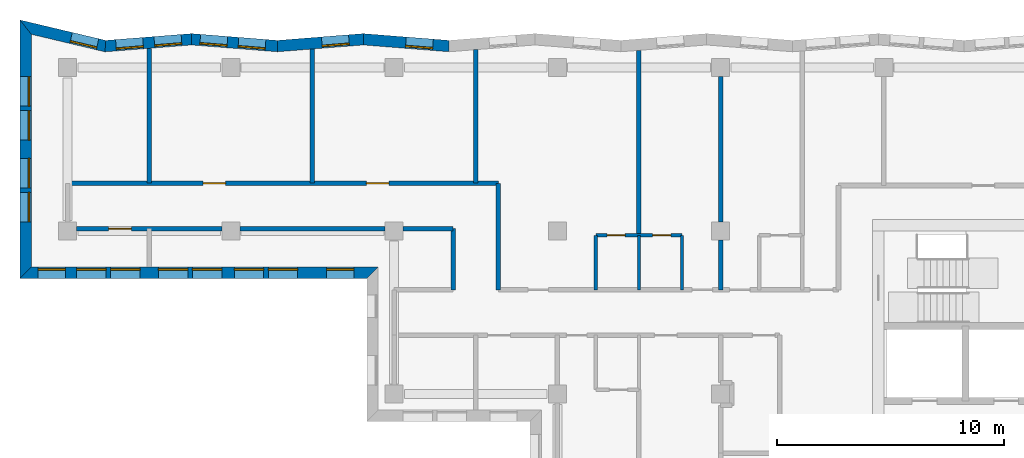
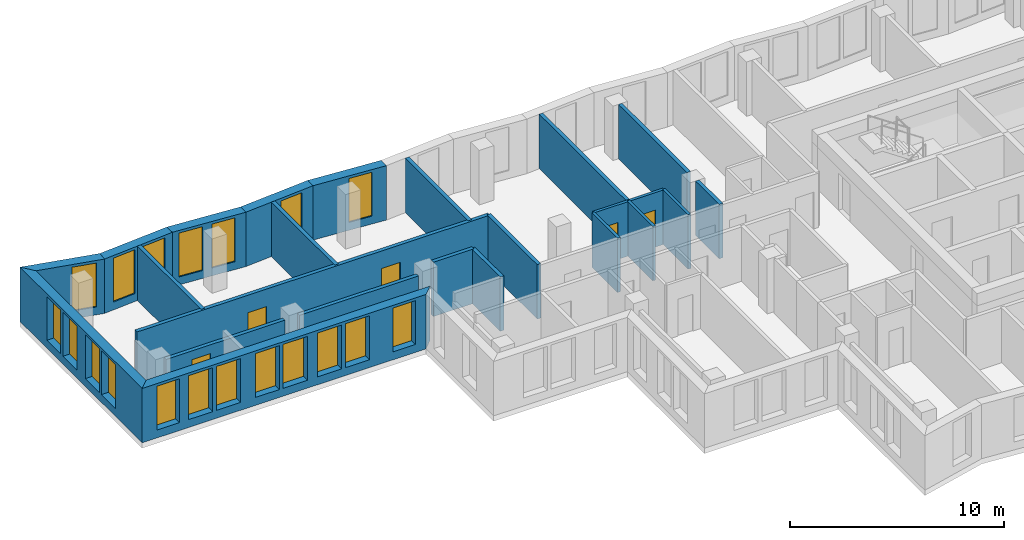
# One storey, part 5 of 11: 23 walls, 19 windows, 5 doors, 24 openings.
"""IFC4 building model written with IfcOpenShell, lengths in metres."""

from ifc_helpers import new_model, si_unit, direction, frame, frame_2d, origin, place, context, subcontext, project, spatial, polyline, rectangle, outline, extrude, material, layer, layer_set, type_object, element, fill, save


model = new_model("IFC4")

# Units and contexts
model_context = context("Model", 3, precision=1e-05, world=origin(), true_north=direction((0.0, 1.0)))
body_context = subcontext(model_context, "Body", "Model", "MODEL_VIEW")
ifc_project = project(units=[si_unit("LENGTHUNIT", "METRE"), si_unit("AREAUNIT", "SQUARE_METRE"), si_unit("VOLUMEUNIT", "CUBIC_METRE"), si_unit("PLANEANGLEUNIT", "RADIAN"), si_unit("MASSUNIT", "GRAM", prefix="KILO")], contexts=[model_context])

# Site, building, storey
site_placement = place(None, origin())
site = spatial("IfcSite", under=ifc_project, at=site_placement, CompositionType="ELEMENT")
building_placement = place(site_placement, origin())
building = spatial("IfcBuilding", under=site, at=building_placement, Name="Windrow Commons", CompositionType="ELEMENT")
storey_placement = place(building_placement, frame((0.0, 0.0, 189.6)))
storey = spatial("IfcBuildingStorey", under=building, at=storey_placement, Name="L51", CompositionType="ELEMENT", Elevation=189.6)

# Wall, opening, window
ifc_material_1 = material(Name="Brick masonry, red clay brick", Category="masonry")
ifc_layer_1 = layer(ifc_material_1, 0.5)
ifc_layer_set_1 = layer_set([ifc_layer_1], Name="Brick facade wall 500")
wall_type_1 = type_object("IfcWallType", Name="Brick facade wall 500", PredefinedType="SOLIDWALL", material=ifc_layer_set_1)
wall_1_placement = place(storey_placement, frame((38.4281, 72.9492, 0.0), z_axis=(0.0, 0.0, 1.0), x_axis=(-0.9968746163, 0.078999996, 0.0)))
wall_1 = element("IfcWall", 1, at=wall_1_placement, inside=storey, type_object=wall_type_1, Name="Brick facade wall L51 28", PredefinedType="SOLIDWALL", context=body_context, shape_type="SweptSolid", body=[
    extrude(outline(polyline([(0.0198, -0.25), (3.8173, -0.25), (3.7777, 0.25), (-0.0198, 0.25), (0.0198, -0.25)])), origin(), (0.0, 0.0, 1.0), 3.1),
])
opening_1_placement = place(wall_1_placement, frame((0.7179, 0.0, 0.45)))
opening_1 = element("IfcOpeningElement", 2, at=opening_1_placement, cuts=wall_1, Name="Opening W7E", PredefinedType="OPENING", context=body_context, shape_type="SweptSolid", body=[
    extrude(rectangle(XDim=1.2, YDim=2.5, at=frame_2d((0.6, 1.25))), frame((0.0, 0.26, 0.0), z_axis=(0.0, -1.0, 0.0), x_axis=(1.0, 0.0, 0.0)), (0.0, 0.0, 1.0), 0.52),
])
ifc_material_2 = material(Name="Clear float glass in anodised aluminium frame", Category="aluminium")
window_type_1 = type_object("IfcWindowType", Name="Window W7 notch 1200x2500", PartitioningType="SINGLE_PANEL", PredefinedType="WINDOW", material=ifc_material_2)
window_1_placement = place(opening_1_placement, origin())
window_1 = element("IfcWindow", 3, at=window_1_placement, inside=storey, type_object=window_type_1, Name="Window L51 28.1", OverallHeight=2.5, OverallWidth=1.2, PartitioningType="SINGLE_PANEL", PredefinedType="WINDOW", context=body_context, shape_type="SweptSolid", body=[
    extrude(rectangle(XDim=1.2, YDim=2.5, at=frame_2d((0.6, 1.25))), frame((0.0, 0.18, 0.0), z_axis=(0.0, -1.0, 0.0), x_axis=(1.0, 0.0, 0.0)), (0.0, 0.0, 1.0), 0.06),
])
fill(opening_1, window_1)

wall_2_placement = place(storey_placement, frame((34.6425, 73.2492, 0.0), z_axis=(0.0, 0.0, 1.0), x_axis=(-0.9968746163, -0.078999996, 0.0)))
wall_2 = element("IfcWall", 4, at=wall_2_placement, inside=storey, type_object=wall_type_1, Name="Brick facade wall L51 29", PredefinedType="SOLIDWALL", context=body_context, shape_type="SweptSolid", body=[
    extrude(outline(polyline([(-0.0198, -0.25), (3.7777, -0.25), (3.8173, 0.25), (0.0198, 0.25), (-0.0198, -0.25)])), origin(), (0.0, 0.0, 1.0), 3.1),
])
opening_2_placement = place(wall_2_placement, frame((0.6347, 0.0, 0.45)))
opening_2 = element("IfcOpeningElement", 5, at=opening_2_placement, cuts=wall_2, Name="Opening W7E", PredefinedType="OPENING", context=body_context, shape_type="SweptSolid", body=[
    extrude(rectangle(XDim=1.2, YDim=2.5, at=frame_2d((0.6, 1.25))), frame((0.0, 0.26, 0.0), z_axis=(0.0, -1.0, 0.0), x_axis=(1.0, 0.0, 0.0)), (0.0, 0.0, 1.0), 0.52),
])
window_2_placement = place(opening_2_placement, origin())
window_2 = element("IfcWindow", 6, at=window_2_placement, inside=storey, type_object=window_type_1, Name="Window L51 29.1", OverallHeight=2.5, OverallWidth=1.2, PartitioningType="SINGLE_PANEL", PredefinedType="WINDOW", context=body_context, shape_type="SweptSolid", body=[
    extrude(rectangle(XDim=1.2, YDim=2.5, at=frame_2d((0.6, 1.25))), frame((0.0, 0.18, 0.0), z_axis=(0.0, -1.0, 0.0), x_axis=(1.0, 0.0, 0.0)), (0.0, 0.0, 1.0), 0.06),
])
fill(opening_2, window_2)

# Wall, openings, windows
wall_3_placement = place(storey_placement, frame((30.8569, 72.9492, 0.0), z_axis=(0.0, 0.0, 1.0), x_axis=(-0.9968747806, 0.0789979222, 0.0)))
wall_3 = element("IfcWall", 7, at=wall_3_placement, inside=storey, type_object=wall_type_1, Name="Brick facade wall L51 30", PredefinedType="SOLIDWALL", context=body_context, shape_type="SweptSolid", body=[
    extrude(outline(polyline([(0.0198, -0.25), (3.8173, -0.25), (3.7777, 0.25), (-0.0198, 0.25), (0.0198, -0.25)])), origin(), (0.0, 0.0, 1.0), 3.1),
])
opening_3_placement = place(wall_3_placement, frame((0.5317, 0.0, 0.45)))
opening_3 = element("IfcOpeningElement", 8, at=opening_3_placement, cuts=wall_3, Name="Opening W7E", PredefinedType="OPENING", context=body_context, shape_type="SweptSolid", body=[
    extrude(rectangle(XDim=1.2, YDim=2.5, at=frame_2d((0.6, 1.25))), frame((0.0, 0.26, 0.0), z_axis=(0.0, -1.0, 0.0), x_axis=(1.0, 0.0, 0.0)), (0.0, 0.0, 1.0), 0.52),
])
opening_4_placement = place(wall_3_placement, frame((2.2205, 0.0, 0.45)))
opening_4 = element("IfcOpeningElement", 9, at=opening_4_placement, cuts=wall_3, Name="Opening W7E", PredefinedType="OPENING", context=body_context, shape_type="SweptSolid", body=[
    extrude(rectangle(XDim=1.2, YDim=2.5, at=frame_2d((0.6, 1.25))), frame((0.0, 0.26, 0.0), z_axis=(0.0, -1.0, 0.0), x_axis=(1.0, 0.0, 0.0)), (0.0, 0.0, 1.0), 0.52),
])
window_3_placement = place(opening_3_placement, origin())
window_3 = element("IfcWindow", 10, at=window_3_placement, inside=storey, type_object=window_type_1, Name="Window L51 30.1", OverallHeight=2.5, OverallWidth=1.2, PartitioningType="SINGLE_PANEL", PredefinedType="WINDOW", context=body_context, shape_type="SweptSolid", body=[
    extrude(rectangle(XDim=1.2, YDim=2.5, at=frame_2d((0.6, 1.25))), frame((0.0, 0.18, 0.0), z_axis=(0.0, -1.0, 0.0), x_axis=(1.0, 0.0, 0.0)), (0.0, 0.0, 1.0), 0.06),
])
fill(opening_3, window_3)
window_4_placement = place(opening_4_placement, origin())
window_4 = element("IfcWindow", 11, at=window_4_placement, inside=storey, type_object=window_type_1, Name="Window L51 30.2", OverallHeight=2.5, OverallWidth=1.2, PartitioningType="SINGLE_PANEL", PredefinedType="WINDOW", context=body_context, shape_type="SweptSolid", body=[
    extrude(rectangle(XDim=1.2, YDim=2.5, at=frame_2d((0.6, 1.25))), frame((0.0, 0.18, 0.0), z_axis=(0.0, -1.0, 0.0), x_axis=(1.0, 0.0, 0.0)), (0.0, 0.0, 1.0), 0.06),
])
fill(opening_4, window_4)

wall_4_placement = place(storey_placement, frame((27.0712, 73.2492, 0.0), z_axis=(0.0, 0.0, 1.0), x_axis=(-0.9968755515, -0.0789881945, 0.0)))
wall_4 = element("IfcWall", 12, at=wall_4_placement, inside=storey, type_object=wall_type_1, Name="Brick facade wall L51 31", PredefinedType="SOLIDWALL", context=body_context, shape_type="SweptSolid", body=[
    extrude(outline(polyline([(-0.0198, -0.25), (3.7777, -0.25), (3.8564, 0.25), (0.0198, 0.25), (-0.0198, -0.25)])), origin(), (0.0, 0.0, 1.0), 3.1),
])
opening_5_placement = place(wall_4_placement, frame((0.4485, 0.0, 0.45)))
opening_5 = element("IfcOpeningElement", 13, at=opening_5_placement, cuts=wall_4, Name="Opening W7E", PredefinedType="OPENING", context=body_context, shape_type="SweptSolid", body=[
    extrude(rectangle(XDim=1.2, YDim=2.5, at=frame_2d((0.6, 1.25))), frame((0.0, 0.26, 0.0), z_axis=(0.0, -1.0, 0.0), x_axis=(1.0, 0.0, 0.0)), (0.0, 0.0, 1.0), 0.52),
])
opening_6_placement = place(wall_4_placement, frame((2.1471, 0.0, 0.45)))
opening_6 = element("IfcOpeningElement", 14, at=opening_6_placement, cuts=wall_4, Name="Opening W7E", PredefinedType="OPENING", context=body_context, shape_type="SweptSolid", body=[
    extrude(rectangle(XDim=1.2, YDim=2.5, at=frame_2d((0.6, 1.25))), frame((0.0, 0.26, 0.0), z_axis=(0.0, -1.0, 0.0), x_axis=(1.0, 0.0, 0.0)), (0.0, 0.0, 1.0), 0.52),
])
window_5_placement = place(opening_5_placement, origin())
window_5 = element("IfcWindow", 15, at=window_5_placement, inside=storey, type_object=window_type_1, Name="Window L51 31.1", OverallHeight=2.5, OverallWidth=1.2, PartitioningType="SINGLE_PANEL", PredefinedType="WINDOW", context=body_context, shape_type="SweptSolid", body=[
    extrude(rectangle(XDim=1.2, YDim=2.5, at=frame_2d((0.6, 1.25))), frame((0.0, 0.18, 0.0), z_axis=(0.0, -1.0, 0.0), x_axis=(1.0, 0.0, 0.0)), (0.0, 0.0, 1.0), 0.06),
])
fill(opening_5, window_5)
window_6_placement = place(opening_6_placement, origin())
window_6 = element("IfcWindow", 16, at=window_6_placement, inside=storey, type_object=window_type_1, Name="Window L51 31.2", OverallHeight=2.5, OverallWidth=1.2, PartitioningType="SINGLE_PANEL", PredefinedType="WINDOW", context=body_context, shape_type="SweptSolid", body=[
    extrude(rectangle(XDim=1.2, YDim=2.5, at=frame_2d((0.6, 1.25))), frame((0.0, 0.18, 0.0), z_axis=(0.0, -1.0, 0.0), x_axis=(1.0, 0.0, 0.0)), (0.0, 0.0, 1.0), 0.06),
])
fill(opening_6, window_6)

# Wall, opening, window
wall_5_placement = place(storey_placement, frame((23.2661, 72.9477, 0.0), z_axis=(0.0, 0.0, 1.0), x_axis=(-0.9728851289, 0.2312888368, 0.0)))
wall_5 = element("IfcWall", 17, at=wall_5_placement, inside=storey, type_object=wall_type_1, Name="Brick facade wall L51 32", PredefinedType="SOLIDWALL", context=body_context, shape_type="SweptSolid", body=[
    extrude(outline(polyline([(0.0394, -0.25), (3.9305, -0.25), (3.2977, 0.25), (-0.0394, 0.25), (0.0394, -0.25)])), origin(), (0.0, 0.0, 1.0), 3.1),
])
opening_7_placement = place(wall_5_placement, frame((0.3563, 0.0, 0.45)))
opening_7 = element("IfcOpeningElement", 18, at=opening_7_placement, cuts=wall_5, Name="Opening W7E", PredefinedType="OPENING", context=body_context, shape_type="SweptSolid", body=[
    extrude(rectangle(XDim=1.2, YDim=2.5, at=frame_2d((0.6, 1.25))), frame((0.0, 0.26, 0.0), z_axis=(0.0, -1.0, 0.0), x_axis=(1.0, 0.0, 0.0)), (0.0, 0.0, 1.0), 0.52),
])
window_7_placement = place(opening_7_placement, origin())
window_7 = element("IfcWindow", 19, at=window_7_placement, inside=storey, type_object=window_type_1, Name="Window L51 32.1", OverallHeight=2.5, OverallWidth=1.2, PartitioningType="SINGLE_PANEL", PredefinedType="WINDOW", context=body_context, shape_type="SweptSolid", body=[
    extrude(rectangle(XDim=1.2, YDim=2.5, at=frame_2d((0.6, 1.25))), frame((0.0, 0.18, 0.0), z_axis=(0.0, -1.0, 0.0), x_axis=(1.0, 0.0, 0.0)), (0.0, 0.0, 1.0), 0.06),
])
fill(opening_7, window_7)

# Wall, openings, windows
wall_6_placement = place(storey_placement, frame((19.75, 73.7836, 0.0), z_axis=(0.0, 0.0, 1.0), x_axis=(0.0, -1.0, 0.0)))
wall_6 = element("IfcWall", 20, at=wall_6_placement, inside=storey, type_object=wall_type_1, Name="Brick facade wall L51 33", PredefinedType="SOLIDWALL", context=body_context, shape_type="SweptSolid", body=[
    extrude(outline(polyline([(-0.3164, -0.25), (11.0836, -0.25), (10.5836, 0.25), (0.3164, 0.25), (-0.3164, -0.25)])), origin(), (0.0, 0.0, 1.0), 3.1),
])
opening_8_placement = place(wall_6_placement, frame((2.1836, 0.0, 0.45)))
opening_8 = element("IfcOpeningElement", 21, at=opening_8_placement, cuts=wall_6, Name="Opening W1Q", PredefinedType="OPENING", context=body_context, shape_type="SweptSolid", body=[
    extrude(rectangle(XDim=1.3, YDim=2.5, at=frame_2d((0.65, 1.25))), frame((0.0, 0.26, 0.0), z_axis=(0.0, -1.0, 0.0), x_axis=(1.0, 0.0, 0.0)), (0.0, 0.0, 1.0), 0.52),
])
opening_9_placement = place(wall_6_placement, frame((3.6836, 0.0, 0.45)))
opening_9 = element("IfcOpeningElement", 22, at=opening_9_placement, cuts=wall_6, Name="Opening W1Q", PredefinedType="OPENING", context=body_context, shape_type="SweptSolid", body=[
    extrude(rectangle(XDim=1.3, YDim=2.5, at=frame_2d((0.65, 1.25))), frame((0.0, 0.26, 0.0), z_axis=(0.0, -1.0, 0.0), x_axis=(1.0, 0.0, 0.0)), (0.0, 0.0, 1.0), 0.52),
])
opening_10_placement = place(wall_6_placement, frame((5.7836, 0.0, 0.45)))
opening_10 = element("IfcOpeningElement", 23, at=opening_10_placement, cuts=wall_6, Name="Opening W1Q", PredefinedType="OPENING", context=body_context, shape_type="SweptSolid", body=[
    extrude(rectangle(XDim=1.3, YDim=2.5, at=frame_2d((0.65, 1.25))), frame((0.0, 0.26, 0.0), z_axis=(0.0, -1.0, 0.0), x_axis=(1.0, 0.0, 0.0)), (0.0, 0.0, 1.0), 0.52),
])
opening_11_placement = place(wall_6_placement, frame((7.2836, 0.0, 0.45)))
opening_11 = element("IfcOpeningElement", 24, at=opening_11_placement, cuts=wall_6, Name="Opening W1Q", PredefinedType="OPENING", context=body_context, shape_type="SweptSolid", body=[
    extrude(rectangle(XDim=1.3, YDim=2.5, at=frame_2d((0.65, 1.25))), frame((0.0, 0.26, 0.0), z_axis=(0.0, -1.0, 0.0), x_axis=(1.0, 0.0, 0.0)), (0.0, 0.0, 1.0), 0.52),
])
ifc_material_3 = material(Name="Clear float glass in anodised aluminium frame", Category="aluminium")
window_type_2 = type_object("IfcWindowType", Name="Window W1Q pair 1300x2500", PartitioningType="SINGLE_PANEL", PredefinedType="WINDOW", material=ifc_material_3)
window_8_placement = place(opening_8_placement, origin())
window_8 = element("IfcWindow", 25, at=window_8_placement, inside=storey, type_object=window_type_2, Name="Window L51 33.1A", OverallHeight=2.5, OverallWidth=1.3, PartitioningType="SINGLE_PANEL", PredefinedType="WINDOW", context=body_context, shape_type="SweptSolid", body=[
    extrude(rectangle(XDim=1.3, YDim=2.5, at=frame_2d((0.65, 1.25))), frame((0.0, 0.18, 0.0), z_axis=(0.0, -1.0, 0.0), x_axis=(1.0, 0.0, 0.0)), (0.0, 0.0, 1.0), 0.06),
])
fill(opening_8, window_8)
window_9_placement = place(opening_9_placement, origin())
window_9 = element("IfcWindow", 26, at=window_9_placement, inside=storey, type_object=window_type_2, Name="Window L51 33.1B", OverallHeight=2.5, OverallWidth=1.3, PartitioningType="SINGLE_PANEL", PredefinedType="WINDOW", context=body_context, shape_type="SweptSolid", body=[
    extrude(rectangle(XDim=1.3, YDim=2.5, at=frame_2d((0.65, 1.25))), frame((0.0, 0.18, 0.0), z_axis=(0.0, -1.0, 0.0), x_axis=(1.0, 0.0, 0.0)), (0.0, 0.0, 1.0), 0.06),
])
fill(opening_9, window_9)
window_10_placement = place(opening_10_placement, origin())
window_10 = element("IfcWindow", 27, at=window_10_placement, inside=storey, type_object=window_type_2, Name="Window L51 33.2A", OverallHeight=2.5, OverallWidth=1.3, PartitioningType="SINGLE_PANEL", PredefinedType="WINDOW", context=body_context, shape_type="SweptSolid", body=[
    extrude(rectangle(XDim=1.3, YDim=2.5, at=frame_2d((0.65, 1.25))), frame((0.0, 0.18, 0.0), z_axis=(0.0, -1.0, 0.0), x_axis=(1.0, 0.0, 0.0)), (0.0, 0.0, 1.0), 0.06),
])
fill(opening_10, window_10)
window_11_placement = place(opening_11_placement, origin())
window_11 = element("IfcWindow", 28, at=window_11_placement, inside=storey, type_object=window_type_2, Name="Window L51 33.2B", OverallHeight=2.5, OverallWidth=1.3, PartitioningType="SINGLE_PANEL", PredefinedType="WINDOW", context=body_context, shape_type="SweptSolid", body=[
    extrude(rectangle(XDim=1.3, YDim=2.5, at=frame_2d((0.65, 1.25))), frame((0.0, 0.18, 0.0), z_axis=(0.0, -1.0, 0.0), x_axis=(1.0, 0.0, 0.0)), (0.0, 0.0, 1.0), 0.06),
])
fill(opening_11, window_11)

wall_7_placement = place(storey_placement, frame((19.75, 62.95, 0.0), z_axis=(0.0, 0.0, 1.0), x_axis=(1.0, 0.0, 0.0)))
wall_7 = element("IfcWall", 29, at=wall_7_placement, inside=storey, type_object=wall_type_1, Name="Brick facade wall L51 34", PredefinedType="SOLIDWALL", context=body_context, shape_type="SweptSolid", body=[
    extrude(outline(polyline([(-0.25, -0.25), (15.05, -0.25), (15.55, 0.25), (0.25, 0.25), (-0.25, -0.25)])), origin(), (0.0, 0.0, 1.0), 3.1),
])
opening_12_placement = place(wall_7_placement, frame((2.25, 0.0, 0.45)))
opening_12 = element("IfcOpeningElement", 30, at=opening_12_placement, cuts=wall_7, Name="Opening W1Q", PredefinedType="OPENING", context=body_context, shape_type="SweptSolid", body=[
    extrude(rectangle(XDim=1.3, YDim=2.5, at=frame_2d((0.65, 1.25))), frame((0.0, 0.26, 0.0), z_axis=(0.0, -1.0, 0.0), x_axis=(1.0, 0.0, 0.0)), (0.0, 0.0, 1.0), 0.52),
])
opening_13_placement = place(wall_7_placement, frame((3.75, 0.0, 0.45)))
opening_13 = element("IfcOpeningElement", 31, at=opening_13_placement, cuts=wall_7, Name="Opening W1Q", PredefinedType="OPENING", context=body_context, shape_type="SweptSolid", body=[
    extrude(rectangle(XDim=1.3, YDim=2.5, at=frame_2d((0.65, 1.25))), frame((0.0, 0.26, 0.0), z_axis=(0.0, -1.0, 0.0), x_axis=(1.0, 0.0, 0.0)), (0.0, 0.0, 1.0), 0.52),
])
opening_14_placement = place(wall_7_placement, frame((5.85, 0.0, 0.45)))
opening_14 = element("IfcOpeningElement", 32, at=opening_14_placement, cuts=wall_7, Name="Opening W1Q", PredefinedType="OPENING", context=body_context, shape_type="SweptSolid", body=[
    extrude(rectangle(XDim=1.3, YDim=2.5, at=frame_2d((0.65, 1.25))), frame((0.0, 0.26, 0.0), z_axis=(0.0, -1.0, 0.0), x_axis=(1.0, 0.0, 0.0)), (0.0, 0.0, 1.0), 0.52),
])
opening_15_placement = place(wall_7_placement, frame((7.35, 0.0, 0.45)))
opening_15 = element("IfcOpeningElement", 33, at=opening_15_placement, cuts=wall_7, Name="Opening W1Q", PredefinedType="OPENING", context=body_context, shape_type="SweptSolid", body=[
    extrude(rectangle(XDim=1.3, YDim=2.5, at=frame_2d((0.65, 1.25))), frame((0.0, 0.26, 0.0), z_axis=(0.0, -1.0, 0.0), x_axis=(1.0, 0.0, 0.0)), (0.0, 0.0, 1.0), 0.52),
])
opening_16_placement = place(wall_7_placement, frame((9.2, 0.0, 0.45)))
opening_16 = element("IfcOpeningElement", 34, at=opening_16_placement, cuts=wall_7, Name="Opening W1Q", PredefinedType="OPENING", context=body_context, shape_type="SweptSolid", body=[
    extrude(rectangle(XDim=1.3, YDim=2.5, at=frame_2d((0.65, 1.25))), frame((0.0, 0.26, 0.0), z_axis=(0.0, -1.0, 0.0), x_axis=(1.0, 0.0, 0.0)), (0.0, 0.0, 1.0), 0.52),
])
opening_17_placement = place(wall_7_placement, frame((10.7, 0.0, 0.45)))
opening_17 = element("IfcOpeningElement", 35, at=opening_17_placement, cuts=wall_7, Name="Opening W1Q", PredefinedType="OPENING", context=body_context, shape_type="SweptSolid", body=[
    extrude(rectangle(XDim=1.3, YDim=2.5, at=frame_2d((0.65, 1.25))), frame((0.0, 0.26, 0.0), z_axis=(0.0, -1.0, 0.0), x_axis=(1.0, 0.0, 0.0)), (0.0, 0.0, 1.0), 0.52),
])
opening_18_placement = place(wall_7_placement, frame((0.55, 0.0, 0.45)))
opening_18 = element("IfcOpeningElement", 36, at=opening_18_placement, cuts=wall_7, Name="Opening W7E", PredefinedType="OPENING", context=body_context, shape_type="SweptSolid", body=[
    extrude(rectangle(XDim=1.2, YDim=2.5, at=frame_2d((0.6, 1.25))), frame((0.0, 0.26, 0.0), z_axis=(0.0, -1.0, 0.0), x_axis=(1.0, 0.0, 0.0)), (0.0, 0.0, 1.0), 0.52),
])
opening_19_placement = place(wall_7_placement, frame((13.275, 0.0, 0.45)))
opening_19 = element("IfcOpeningElement", 37, at=opening_19_placement, cuts=wall_7, Name="Opening W7E", PredefinedType="OPENING", context=body_context, shape_type="SweptSolid", body=[
    extrude(rectangle(XDim=1.2, YDim=2.5, at=frame_2d((0.6, 1.25))), frame((0.0, 0.26, 0.0), z_axis=(0.0, -1.0, 0.0), x_axis=(1.0, 0.0, 0.0)), (0.0, 0.0, 1.0), 0.52),
])
window_12_placement = place(opening_12_placement, origin())
window_12 = element("IfcWindow", 38, at=window_12_placement, inside=storey, type_object=window_type_2, Name="Window L51 34.1A", OverallHeight=2.5, OverallWidth=1.3, PartitioningType="SINGLE_PANEL", PredefinedType="WINDOW", context=body_context, shape_type="SweptSolid", body=[
    extrude(rectangle(XDim=1.3, YDim=2.5, at=frame_2d((0.65, 1.25))), frame((0.0, 0.18, 0.0), z_axis=(0.0, -1.0, 0.0), x_axis=(1.0, 0.0, 0.0)), (0.0, 0.0, 1.0), 0.06),
])
fill(opening_12, window_12)
window_13_placement = place(opening_13_placement, origin())
window_13 = element("IfcWindow", 39, at=window_13_placement, inside=storey, type_object=window_type_2, Name="Window L51 34.1B", OverallHeight=2.5, OverallWidth=1.3, PartitioningType="SINGLE_PANEL", PredefinedType="WINDOW", context=body_context, shape_type="SweptSolid", body=[
    extrude(rectangle(XDim=1.3, YDim=2.5, at=frame_2d((0.65, 1.25))), frame((0.0, 0.18, 0.0), z_axis=(0.0, -1.0, 0.0), x_axis=(1.0, 0.0, 0.0)), (0.0, 0.0, 1.0), 0.06),
])
fill(opening_13, window_13)
window_14_placement = place(opening_14_placement, origin())
window_14 = element("IfcWindow", 40, at=window_14_placement, inside=storey, type_object=window_type_2, Name="Window L51 34.2A", OverallHeight=2.5, OverallWidth=1.3, PartitioningType="SINGLE_PANEL", PredefinedType="WINDOW", context=body_context, shape_type="SweptSolid", body=[
    extrude(rectangle(XDim=1.3, YDim=2.5, at=frame_2d((0.65, 1.25))), frame((0.0, 0.18, 0.0), z_axis=(0.0, -1.0, 0.0), x_axis=(1.0, 0.0, 0.0)), (0.0, 0.0, 1.0), 0.06),
])
fill(opening_14, window_14)
window_15_placement = place(opening_15_placement, origin())
window_15 = element("IfcWindow", 41, at=window_15_placement, inside=storey, type_object=window_type_2, Name="Window L51 34.2B", OverallHeight=2.5, OverallWidth=1.3, PartitioningType="SINGLE_PANEL", PredefinedType="WINDOW", context=body_context, shape_type="SweptSolid", body=[
    extrude(rectangle(XDim=1.3, YDim=2.5, at=frame_2d((0.65, 1.25))), frame((0.0, 0.18, 0.0), z_axis=(0.0, -1.0, 0.0), x_axis=(1.0, 0.0, 0.0)), (0.0, 0.0, 1.0), 0.06),
])
fill(opening_15, window_15)
window_16_placement = place(opening_16_placement, origin())
window_16 = element("IfcWindow", 42, at=window_16_placement, inside=storey, type_object=window_type_2, Name="Window L51 34.3A", OverallHeight=2.5, OverallWidth=1.3, PartitioningType="SINGLE_PANEL", PredefinedType="WINDOW", context=body_context, shape_type="SweptSolid", body=[
    extrude(rectangle(XDim=1.3, YDim=2.5, at=frame_2d((0.65, 1.25))), frame((0.0, 0.18, 0.0), z_axis=(0.0, -1.0, 0.0), x_axis=(1.0, 0.0, 0.0)), (0.0, 0.0, 1.0), 0.06),
])
fill(opening_16, window_16)
window_17_placement = place(opening_17_placement, origin())
window_17 = element("IfcWindow", 43, at=window_17_placement, inside=storey, type_object=window_type_2, Name="Window L51 34.3B", OverallHeight=2.5, OverallWidth=1.3, PartitioningType="SINGLE_PANEL", PredefinedType="WINDOW", context=body_context, shape_type="SweptSolid", body=[
    extrude(rectangle(XDim=1.3, YDim=2.5, at=frame_2d((0.65, 1.25))), frame((0.0, 0.18, 0.0), z_axis=(0.0, -1.0, 0.0), x_axis=(1.0, 0.0, 0.0)), (0.0, 0.0, 1.0), 0.06),
])
fill(opening_17, window_17)
window_18_placement = place(opening_18_placement, origin())
window_18 = element("IfcWindow", 44, at=window_18_placement, inside=storey, type_object=window_type_1, Name="Window L51 34.4", OverallHeight=2.5, OverallWidth=1.2, PartitioningType="SINGLE_PANEL", PredefinedType="WINDOW", context=body_context, shape_type="SweptSolid", body=[
    extrude(rectangle(XDim=1.2, YDim=2.5, at=frame_2d((0.6, 1.25))), frame((0.0, 0.18, 0.0), z_axis=(0.0, -1.0, 0.0), x_axis=(1.0, 0.0, 0.0)), (0.0, 0.0, 1.0), 0.06),
])
fill(opening_18, window_18)
window_19_placement = place(opening_19_placement, origin())
window_19 = element("IfcWindow", 45, at=window_19_placement, inside=storey, type_object=window_type_1, Name="Window L51 34.5", OverallHeight=2.5, OverallWidth=1.2, PartitioningType="SINGLE_PANEL", PredefinedType="WINDOW", context=body_context, shape_type="SweptSolid", body=[
    extrude(rectangle(XDim=1.2, YDim=2.5, at=frame_2d((0.6, 1.25))), frame((0.0, 0.18, 0.0), z_axis=(0.0, -1.0, 0.0), x_axis=(1.0, 0.0, 0.0)), (0.0, 0.0, 1.0), 0.06),
])
fill(opening_19, window_19)

# Wall, openings, doors
ifc_material_4 = material(Name="Blockwork partition", Category="masonry")
ifc_layer_2 = layer(ifc_material_4, 0.2)
ifc_layer_set_2 = layer_set([ifc_layer_2], Name="IW-CORRIDOR-200")
wall_type_2 = type_object("IfcWallType", Name="IW-CORRIDOR-200", PredefinedType="PARTITIONING", material=ifc_layer_set_2)
wall_8_placement = place(storey_placement, frame((21.602, 66.9, 0.0), z_axis=(0.0, 0.0, 1.0), x_axis=(1.0, 0.0, 0.0)))
wall_8 = element("IfcWall", 46, at=wall_8_placement, inside=storey, type_object=wall_type_2, Name="W-L51-W000", PredefinedType="PARTITIONING", context=body_context, shape_type="SweptSolid", body=[
    extrude(rectangle(XDim=18.998, YDim=0.2, at=frame_2d((9.499, 0.0))), origin(), (0.0, 0.0, 1.0), 3.1),
])
opening_20_placement = place(wall_8_placement, frame((5.9717, 0.0, 0.0)))
opening_20 = element("IfcOpeningElement", 47, at=opening_20_placement, cuts=wall_8, Name="Opening D310F", PredefinedType="OPENING", context=body_context, shape_type="SweptSolid", body=[
    extrude(rectangle(XDim=1.0, YDim=2.1, at=frame_2d((0.5, 1.05))), frame((0.0, 0.11, 0.0), z_axis=(0.0, -1.0, 0.0), x_axis=(1.0, 0.0, 0.0)), (0.0, 0.0, 1.0), 0.22),
])
opening_21_placement = place(wall_8_placement, frame((13.1717, 0.0, 0.0)))
opening_21 = element("IfcOpeningElement", 48, at=opening_21_placement, cuts=wall_8, Name="Opening D310F", PredefinedType="OPENING", context=body_context, shape_type="SweptSolid", body=[
    extrude(rectangle(XDim=1.0, YDim=2.1, at=frame_2d((0.5, 1.05))), frame((0.0, 0.11, 0.0), z_axis=(0.0, -1.0, 0.0), x_axis=(1.0, 0.0, 0.0)), (0.0, 0.0, 1.0), 0.22),
])
ifc_material_5 = material(Name="Timber door leaf", Category="wood")
door_type_1 = type_object("IfcDoorType", Name="DT-AMENITY-1000", OperationType="SINGLE_SWING_LEFT", PredefinedType="DOOR", material=ifc_material_5)
door_1_placement = place(opening_20_placement, origin())
door_1 = element("IfcDoor", 49, at=door_1_placement, inside=storey, type_object=door_type_1, Name="D-L51-D002", OperationType="SINGLE_SWING_LEFT", OverallHeight=2.1, OverallWidth=1.0, PredefinedType="DOOR", context=body_context, shape_type="SweptSolid", body=[
    extrude(rectangle(XDim=1.0, YDim=2.1, at=frame_2d((0.5, 1.05))), frame((0.0, 0.025, 0.0), z_axis=(0.0, -1.0, 0.0), x_axis=(1.0, 0.0, 0.0)), (0.0, 0.0, 1.0), 0.05),
])
fill(opening_20, door_1)
door_2_placement = place(opening_21_placement, origin())
door_2 = element("IfcDoor", 50, at=door_2_placement, inside=storey, type_object=door_type_1, Name="D-L51-D003", OperationType="SINGLE_SWING_LEFT", OverallHeight=2.1, OverallWidth=1.0, PredefinedType="DOOR", context=body_context, shape_type="SweptSolid", body=[
    extrude(rectangle(XDim=1.0, YDim=2.1, at=frame_2d((0.5, 1.05))), frame((0.0, 0.025, 0.0), z_axis=(0.0, -1.0, 0.0), x_axis=(1.0, 0.0, 0.0)), (0.0, 0.0, 1.0), 0.05),
])
fill(opening_21, door_2)

# Wall
wall_9_placement = place(storey_placement, frame((29.2, 64.9, 0.0), z_axis=(0.0, 0.0, 1.0), x_axis=(1.0, 0.0, 0.0)))
element("IfcWall", 51, at=wall_9_placement, inside=storey, type_object=wall_type_2, Name="W-L51-W018", PredefinedType="PARTITIONING", context=body_context, shape_type="SweptSolid", body=[
    extrude(rectangle(XDim=6.4, YDim=0.2, at=frame_2d((3.2, 0.0))), origin(), (0.0, 0.0, 1.0), 2.6),
])

# Wall, opening, door
wall_10_placement = place(storey_placement, frame((22.0, 64.9, 0.0), z_axis=(0.0, 0.0, 1.0), x_axis=(1.0, 0.0, 0.0)))
wall_10 = element("IfcWall", 52, at=wall_10_placement, inside=storey, type_object=wall_type_2, Name="W-L51-W019", PredefinedType="PARTITIONING", context=body_context, shape_type="SweptSolid", body=[
    extrude(rectangle(XDim=6.4, YDim=0.2, at=frame_2d((3.2, 0.0))), origin(), (0.0, 0.0, 1.0), 2.6),
])
opening_22_placement = place(wall_10_placement, frame((1.4072, 0.0, 0.0)))
opening_22 = element("IfcOpeningElement", 53, at=opening_22_placement, cuts=wall_10, Name="Opening D310F", PredefinedType="OPENING", context=body_context, shape_type="SweptSolid", body=[
    extrude(rectangle(XDim=1.0, YDim=2.1, at=frame_2d((0.5, 1.05))), frame((0.0, 0.11, 0.0), z_axis=(0.0, -1.0, 0.0), x_axis=(1.0, 0.0, 0.0)), (0.0, 0.0, 1.0), 0.22),
])
door_3_placement = place(opening_22_placement, origin())
door_3 = element("IfcDoor", 54, at=door_3_placement, inside=storey, type_object=door_type_1, Name="D-L51-D001", OperationType="SINGLE_SWING_RIGHT", OverallHeight=2.1, OverallWidth=1.0, PredefinedType="DOOR", context=body_context, shape_type="SweptSolid", body=[
    extrude(rectangle(XDim=1.0, YDim=2.1, at=frame_2d((0.5, 1.05))), frame((0.0, 0.025, 0.0), z_axis=(0.0, -1.0, 0.0), x_axis=(1.0, 0.0, 0.0)), (0.0, 0.0, 1.0), 0.05),
])
fill(opening_22, door_3)

# Walls
wall_11_placement = place(storey_placement, frame((40.6, 62.202, 0.0), z_axis=(0.0, 0.0, 1.0), x_axis=(0.0, 1.0, 0.0)))
element("IfcWall", 55, at=wall_11_placement, inside=storey, type_object=wall_type_2, Name="W-L51-W041", PredefinedType="PARTITIONING", context=body_context, shape_type="SweptSolid", body=[
    extrude(rectangle(XDim=4.696, YDim=0.2, at=frame_2d((2.348, 0.0))), origin(), (0.0, 0.0, 1.0), 3.1),
])
wall_12_placement = place(storey_placement, frame((38.6, 62.202, 0.0), z_axis=(0.0, 0.0, 1.0), x_axis=(0.0, 1.0, 0.0)))
element("IfcWall", 56, at=wall_12_placement, inside=storey, type_object=wall_type_2, Name="W-L51-W056", PredefinedType="PARTITIONING", context=body_context, shape_type="SweptSolid", body=[
    extrude(rectangle(XDim=2.698, YDim=0.2, at=frame_2d((1.349, 0.0))), origin(), (0.0, 0.0, 1.0), 3.1),
])
wall_13_placement = place(storey_placement, frame((36.4, 64.9, 0.0), z_axis=(0.0, 0.0, 1.0), x_axis=(1.0, 0.0, 0.0)))
element("IfcWall", 57, at=wall_13_placement, inside=storey, type_object=wall_type_2, Name="W-L51-W086", PredefinedType="PARTITIONING", context=body_context, shape_type="SweptSolid", body=[
    extrude(rectangle(XDim=2.2, YDim=0.2, at=frame_2d((1.1, 0.0))), origin(), (0.0, 0.0, 1.0), 3.1),
])

# Wall, openings, doors
ifc_material_6 = material(Name="Blockwork partition", Category="masonry")
ifc_layer_3 = layer(ifc_material_6, 0.15)
ifc_layer_set_3 = layer_set([ifc_layer_3], Name="IW-ENSUITE-150")
wall_type_3 = type_object("IfcWallType", Name="IW-ENSUITE-150", PredefinedType="PARTITIONING", material=ifc_layer_set_3)
wall_14_placement = place(storey_placement, frame((44.9, 64.6, 0.0), z_axis=(0.0, 0.0, 1.0), x_axis=(1.0, 0.0, 0.0)))
wall_14 = element("IfcWall", 58, at=wall_14_placement, inside=storey, type_object=wall_type_3, Name="W-L51-W048", PredefinedType="PARTITIONING", context=body_context, shape_type="SweptSolid", body=[
    extrude(rectangle(XDim=3.8, YDim=0.15, at=frame_2d((1.9, 0.0))), origin(), (0.0, 0.0, 1.0), 3.1),
])
opening_23_placement = place(wall_14_placement, frame((0.4931, 0.0, 0.0)))
opening_23 = element("IfcOpeningElement", 59, at=opening_23_placement, cuts=wall_14, Name="Opening D208N", PredefinedType="OPENING", context=body_context, shape_type="SweptSolid", body=[
    extrude(rectangle(XDim=0.8, YDim=2.1, at=frame_2d((0.4, 1.05))), frame((0.0, 0.085, 0.0), z_axis=(0.0, -1.0, 0.0), x_axis=(1.0, 0.0, 0.0)), (0.0, 0.0, 1.0), 0.17),
])
opening_24_placement = place(wall_14_placement, frame((2.5069, 0.0, 0.0)))
opening_24 = element("IfcOpeningElement", 60, at=opening_24_placement, cuts=wall_14, Name="Opening D208N", PredefinedType="OPENING", context=body_context, shape_type="SweptSolid", body=[
    extrude(rectangle(XDim=0.8, YDim=2.1, at=frame_2d((0.4, 1.05))), frame((0.0, 0.085, 0.0), z_axis=(0.0, -1.0, 0.0), x_axis=(1.0, 0.0, 0.0)), (0.0, 0.0, 1.0), 0.17),
])
ifc_material_7 = material(Name="Timber door leaf", Category="wood")
door_type_2 = type_object("IfcDoorType", Name="DT-ENSUITE-800", OperationType="SINGLE_SWING_LEFT", PredefinedType="DOOR", material=ifc_material_7)
door_4_placement = place(opening_23_placement, origin())
door_4 = element("IfcDoor", 61, at=door_4_placement, inside=storey, type_object=door_type_2, Name="D-L51-D011", OperationType="SINGLE_SWING_RIGHT", OverallHeight=2.1, OverallWidth=0.8, PredefinedType="DOOR", context=body_context, shape_type="SweptSolid", body=[
    extrude(rectangle(XDim=0.8, YDim=2.1, at=frame_2d((0.4, 1.05))), frame((0.0, 0.025, 0.0), z_axis=(0.0, -1.0, 0.0), x_axis=(1.0, 0.0, 0.0)), (0.0, 0.0, 1.0), 0.05),
])
fill(opening_23, door_4)
door_5_placement = place(opening_24_placement, origin())
door_5 = element("IfcDoor", 62, at=door_5_placement, inside=storey, type_object=door_type_2, Name="D-L51-D013", OperationType="SINGLE_SWING_RIGHT", OverallHeight=2.1, OverallWidth=0.8, PredefinedType="DOOR", context=body_context, shape_type="SweptSolid", body=[
    extrude(rectangle(XDim=0.8, YDim=2.1, at=frame_2d((0.4, 1.05))), frame((0.0, 0.025, 0.0), z_axis=(0.0, -1.0, 0.0), x_axis=(1.0, 0.0, 0.0)), (0.0, 0.0, 1.0), 0.05),
])
fill(opening_24, door_5)

# Walls
for number, where, z_axis, x_axis, name in (
    (63, (44.9, 62.2, 0.0), (0.0, 0.0, 1.0), (0.0, 1.0, 0.0), "W-L51-W074"),
    (64, (46.8, 62.2, 0.0), (0.0, 0.0, 1.0), (0.0, 1.0, 0.0), "W-L51-W075"),
    (65, (48.7, 62.2, 0.0), (0.0, 0.0, 1.0), (0.0, 1.0, 0.0), "W-L51-W076"),
):
    element("IfcWall", number, at=place(storey_placement, frame(where, z_axis=z_axis, x_axis=x_axis)), inside=storey, type_object=wall_type_3, Name=name, PredefinedType="PARTITIONING", context=body_context, shape_type="SweptSolid", body=[
        extrude(rectangle(XDim=2.4, YDim=0.15, at=frame_2d((1.2, 0.0))), origin(), (0.0, 0.0, 1.0), 3.1),
    ])
ifc_material_8 = material(Name="Blockwork partition", Category="masonry")
ifc_layer_4 = layer(ifc_material_8, 0.2)
ifc_layer_set_4 = layer_set([ifc_layer_4], Name="IW-PARTY-200")
wall_type_4 = type_object("IfcWallType", Name="IW-PARTY-200", PredefinedType="PARTITIONING", material=ifc_layer_set_4)
wall_15_placement = place(storey_placement, frame((46.8, 64.6, 0.0), z_axis=(0.0, 0.0, 1.0), x_axis=(0.0, 1.0, 0.0)))
element("IfcWall", 66, at=wall_15_placement, inside=storey, type_object=wall_type_4, Name="W-L51-W012", PredefinedType="PARTITIONING", context=body_context, shape_type="SweptSolid", body=[
    extrude(rectangle(XDim=8.1619, YDim=0.2, at=frame_2d((4.0809, 0.0))), origin(), (0.0, 0.0, 1.0), 3.1),
])
wall_16_placement = place(storey_placement, frame((50.4, 65.2, 0.0), z_axis=(0.0, 0.0, 1.0), x_axis=(0.0, 1.0, 0.0)))
element("IfcWall", 67, at=wall_16_placement, inside=storey, type_object=wall_type_4, Name="W-L51-W021", PredefinedType="PARTITIONING", context=body_context, shape_type="SweptSolid", body=[
    extrude(rectangle(XDim=6.4, YDim=0.2, at=frame_2d((3.2, 0.0))), origin(), (0.0, 0.0, 1.0), 3.1),
])
wall_17_placement = place(storey_placement, frame((25.2, 66.9, 0.0), z_axis=(0.0, 0.0, 1.0), x_axis=(0.0, 1.0, 0.0)))
element("IfcWall", 68, at=wall_17_placement, inside=storey, type_object=wall_type_4, Name="W-L51-W025", PredefinedType="PARTITIONING", context=body_context, shape_type="SweptSolid", body=[
    extrude(rectangle(XDim=5.9501, YDim=0.2, at=frame_2d((2.975, 0.0))), origin(), (0.0, 0.0, 1.0), 3.1),
])
wall_18_placement = place(storey_placement, frame((32.4, 66.9, 0.0), z_axis=(0.0, 0.0, 1.0), x_axis=(0.0, 1.0, 0.0)))
element("IfcWall", 69, at=wall_18_placement, inside=storey, type_object=wall_type_4, Name="W-L51-W026", PredefinedType="PARTITIONING", context=body_context, shape_type="SweptSolid", body=[
    extrude(rectangle(XDim=5.9207, YDim=0.2, at=frame_2d((2.9604, 0.0))), origin(), (0.0, 0.0, 1.0), 3.1),
])
wall_19_placement = place(storey_placement, frame((39.6, 66.9, 0.0), z_axis=(0.0, 0.0, 1.0), x_axis=(0.0, 1.0, 0.0)))
element("IfcWall", 70, at=wall_19_placement, inside=storey, type_object=wall_type_4, Name="W-L51-W027", PredefinedType="PARTITIONING", context=body_context, shape_type="SweptSolid", body=[
    extrude(rectangle(XDim=5.8913, YDim=0.2, at=frame_2d((2.9457, 0.0))), origin(), (0.0, 0.0, 1.0), 3.1),
])
wall_20_placement = place(storey_placement, frame((50.4, 62.2, 0.0), z_axis=(0.0, 0.0, 1.0), x_axis=(0.0, 1.0, 0.0)))
element("IfcWall", 71, at=wall_20_placement, inside=storey, type_object=wall_type_4, Name="W-L51-W090", PredefinedType="PARTITIONING", context=body_context, shape_type="SweptSolid", body=[
    extrude(rectangle(XDim=2.2, YDim=0.2, at=frame_2d((1.1, 0.0))), origin(), (0.0, 0.0, 1.0), 3.1),
])

save(model, "model.ifc")
